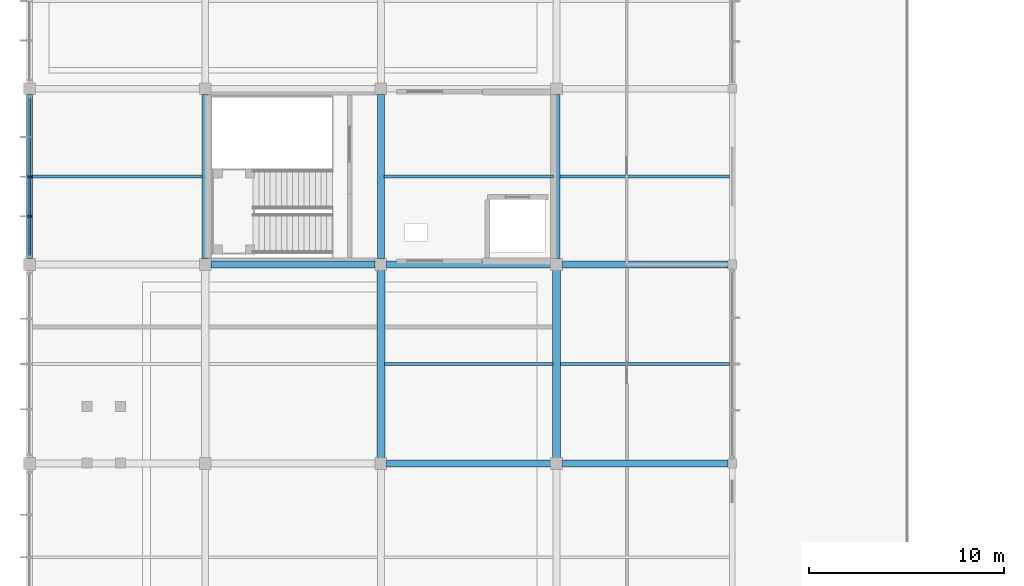
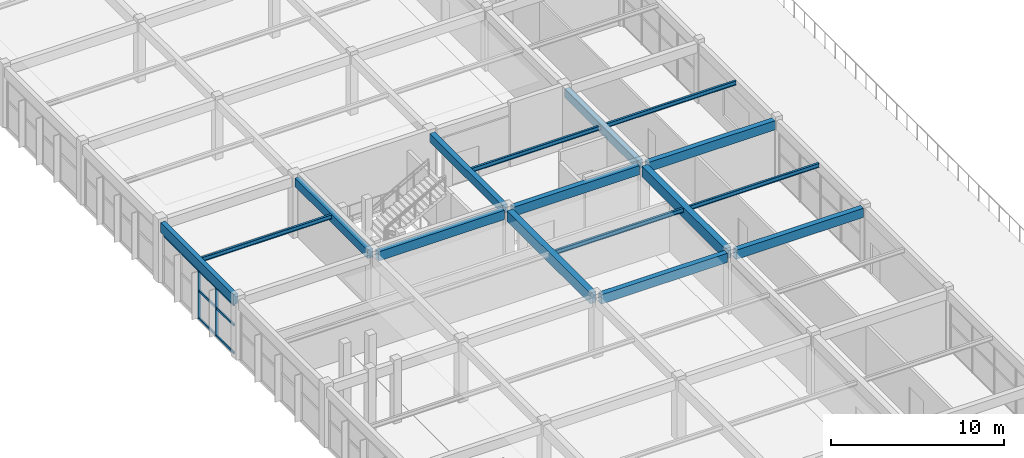
# One storey, part 11 of 89: 16 beams, 7 members, 1 element without a shape of its own.
"""IFC4 building model written with IfcOpenShell, lengths in metres."""

from ifc_helpers import new_model, si_unit, direction, frame, origin, origin_2d, place, context, subcontext, project, spatial, rectangle, i_section, extrude, material, material_profile, profile_set, type_object, element, aggregate, save


model = new_model("IFC4")

# Units and contexts
model_context = context("Model", 3, precision=1e-05, world=origin(), true_north=direction((0.0, 1.0)))
body_context = subcontext(model_context, "Body", "Model", "MODEL_VIEW")
ifc_project = project(units=[si_unit("LENGTHUNIT", "METRE"), si_unit("AREAUNIT", "SQUARE_METRE"), si_unit("VOLUMEUNIT", "CUBIC_METRE"), si_unit("PLANEANGLEUNIT", "RADIAN"), si_unit("MASSUNIT", "GRAM", prefix="KILO")], contexts=[model_context])

# Site, building, storey
site_placement = place(None, origin())
site = spatial("IfcSite", under=ifc_project, at=site_placement, CompositionType="ELEMENT")
building_placement = place(site_placement, origin())
building = spatial("IfcBuilding", under=site, at=building_placement, Name="Suirenkawa Promenade Aquatics Centre", CompositionType="ELEMENT")
storey_placement = place(building_placement, frame((0.0, 0.0, 9.60009765625)))
storey = spatial("IfcBuildingStorey", under=building, at=storey_placement, Name="L02", CompositionType="ELEMENT", Elevation=9.60009765625)

# Beams
ifc_material_1 = material(Name="Steel IS 2062 E350 (Grade 350)", Category="steel")
ifc_material_profile_1 = material_profile(ifc_material_1, i_section(OverallWidth=0.139892578125, OverallDepth=0.300048828125, WebThickness=0.008056640625, FlangeThickness=0.012939453125, at=origin_2d()), Name="ISMB 300", Category="steel")
ifc_profile_set_1 = profile_set([ifc_material_profile_1], Name="Steel IS 2062 E350 (Grade 350)")
beam_type_1 = type_object("IfcBeamType", Name="BT-JOIST-ISMB300", PredefinedType="JOIST", material=ifc_profile_set_1)
beam_1_placement = place(storey_placement, frame((0.14404296875, 63.89990234375, 4.087890625), z_axis=(1.0, 0.0, 0.0), x_axis=(0.0, 1.0, 0.0)))
element("IfcBeam", 1, at=beam_1_placement, inside=storey, type_object=beam_type_1, Name="Secondary floor joist JS-02 BM-0696", PredefinedType="JOIST", context=body_context, shape_type="SweptSolid", body=[
    extrude(i_section(OverallWidth=0.139892578125, OverallDepth=0.300048828125, WebThickness=0.008056640625, FlangeThickness=0.012939453125, at=origin_2d()), origin(), (0.0, 0.0, 1.0), 8.68701171875),
])
beam_2_placement = place(storey_placement, frame((18.194091796875, 54.300048828125, 4.087890625), z_axis=(1.0, 0.0, 0.0), x_axis=(0.0, 1.0, 0.0)))
element("IfcBeam", 2, at=beam_2_placement, inside=storey, type_object=beam_type_1, Name="Secondary floor joist JS-02 BM-0717", PredefinedType="JOIST", context=body_context, shape_type="SweptSolid", body=[
    extrude(i_section(OverallWidth=0.139892578125, OverallDepth=0.300048828125, WebThickness=0.008056640625, FlangeThickness=0.012939453125, at=origin_2d()), origin(), (0.0, 0.0, 1.0), 8.61181640625),
])
beam_3_placement = place(storey_placement, frame((18.1689453125, 63.89990234375, 4.087890625), z_axis=(1.0, 0.0, 0.0), x_axis=(0.0, 1.0, 0.0)))
element("IfcBeam", 3, at=beam_3_placement, inside=storey, type_object=beam_type_1, Name="Secondary floor joist JS-02 BM-0718", PredefinedType="JOIST", context=body_context, shape_type="SweptSolid", body=[
    extrude(i_section(OverallWidth=0.139892578125, OverallDepth=0.300048828125, WebThickness=0.008056640625, FlangeThickness=0.012939453125, at=origin_2d()), origin(), (0.0, 0.0, 1.0), 8.662109375),
])
beam_4_placement = place(storey_placement, frame((27.194091796875, 54.300048828125, 4.087890625), z_axis=(1.0, 0.0, 0.0), x_axis=(0.0, 1.0, 0.0)))
element("IfcBeam", 4, at=beam_4_placement, inside=storey, type_object=beam_type_1, Name="Secondary floor joist JS-02 BM-0729", PredefinedType="JOIST", context=body_context, shape_type="SweptSolid", body=[
    extrude(i_section(OverallWidth=0.139892578125, OverallDepth=0.300048828125, WebThickness=0.008056640625, FlangeThickness=0.012939453125, at=origin_2d()), origin(), (0.0, 0.0, 1.0), 8.661865234375),
])
beam_5_placement = place(storey_placement, frame((27.1689453125, 63.89990234375, 4.087890625), z_axis=(1.0, 0.0, 0.0), x_axis=(0.0, 1.0, 0.0)))
element("IfcBeam", 5, at=beam_5_placement, inside=storey, type_object=beam_type_1, Name="Secondary floor joist JS-02 BM-0730", PredefinedType="JOIST", context=body_context, shape_type="SweptSolid", body=[
    extrude(i_section(OverallWidth=0.139892578125, OverallDepth=0.300048828125, WebThickness=0.008056640625, FlangeThickness=0.012939453125, at=origin_2d()), origin(), (0.0, 0.0, 1.0), 8.68701171875),
])
ifc_material_2 = material(Name="Concrete M35", Category="concrete")
ifc_material_profile_2 = material_profile(ifc_material_2, rectangle(XDim=0.35009765625, YDim=0.60009765625, at=origin_2d()), Name="RC BM 350x600", Category="concrete")
ifc_profile_set_2 = profile_set([ifc_material_profile_2], Name="Concrete M35")
beam_type_2 = type_object("IfcBeamType", Name="BT-RC-350x600", PredefinedType="BEAM", material=ifc_profile_set_2)
for number, where, z_axis, x_axis, name in (
    (6, (9.0, 59.694091796875, 3.93994140625), (0.0, 1.0, 0.0), (-1.0, 0.0, 0.0), "Floor beam BM-02 BM-0648"),
    (7, (18.0, 59.694091796875, 3.93994140625), (0.0, 1.0, 0.0), (-1.0, 0.0, 0.0), "Floor beam BM-02 BM-0660"),
    (8, (27.0, 59.694091796875, 3.93994140625), (0.0, 1.0, 0.0), (-1.0, 0.0, 0.0), "Floor beam BM-02 BM-0672"),
):
    element("IfcBeam", number, at=place(storey_placement, frame(where, z_axis=z_axis, x_axis=x_axis)), inside=storey, type_object=beam_type_2, Name=name, PredefinedType="BEAM", context=body_context, shape_type="SweptSolid", body=[
        extrude(rectangle(XDim=0.35009765625, YDim=0.60009765625, at=origin_2d()), origin(), (0.0, 0.0, 1.0), 8.411865234375),
    ])
ifc_material_profile_3 = material_profile(ifc_material_2, rectangle(XDim=0.35009765625, YDim=0.64990234375, at=origin_2d()), Name="RC BM 350x650", Category="concrete")
ifc_profile_set_3 = profile_set([ifc_material_profile_3], Name="Concrete M35")
beam_type_3 = type_object("IfcBeamType", Name="BT-RC-350x650", PredefinedType="BEAM", material=ifc_profile_set_3)
beam_6_placement = place(storey_placement, frame((18.2939453125, 49.199951171875, 3.914794921875), z_axis=(1.0, 0.0, 0.0), x_axis=(0.0, 1.0, 0.0)))
element("IfcBeam", 9, at=beam_6_placement, inside=storey, type_object=beam_type_3, Name="Floor beam BM-03 BM-0600", PredefinedType="BEAM", context=body_context, shape_type="SweptSolid", body=[
    extrude(rectangle(XDim=0.35009765625, YDim=0.64990234375, at=origin_2d()), origin(), (0.0, 0.0, 1.0), 8.412109375),
])
beam_7_placement = place(storey_placement, frame((27.2939453125, 49.199951171875, 3.914794921875), z_axis=(1.0, 0.0, 0.0), x_axis=(0.0, 1.0, 0.0)))
element("IfcBeam", 10, at=beam_7_placement, inside=storey, type_object=beam_type_3, Name="Floor beam BM-03 BM-0601", PredefinedType="BEAM", context=body_context, shape_type="SweptSolid", body=[
    extrude(rectangle(XDim=0.35009765625, YDim=0.64990234375, at=origin_2d()), origin(), (0.0, 0.0, 1.0), 8.487060546875),
])
for number, where, z_axis, x_axis, name in (
    (11, (9.2939453125, 59.39990234375, 3.914794921875), (1.0, 0.0, 0.0), (0.0, 1.0, 0.0), "Floor beam BM-03 BM-0603"),
    (12, (18.2939453125, 59.39990234375, 3.914794921875), (1.0, 0.0, 0.0), (0.0, 1.0, 0.0), "Floor beam BM-03 BM-0604"),
):
    element("IfcBeam", number, at=place(storey_placement, frame(where, z_axis=z_axis, x_axis=x_axis)), inside=storey, type_object=beam_type_3, Name=name, PredefinedType="BEAM", context=body_context, shape_type="SweptSolid", body=[
        extrude(rectangle(XDim=0.35009765625, YDim=0.64990234375, at=origin_2d()), origin(), (0.0, 0.0, 1.0), 8.412109375),
    ])
beam_8_placement = place(storey_placement, frame((27.2939453125, 59.39990234375, 3.914794921875), z_axis=(1.0, 0.0, 0.0), x_axis=(0.0, 1.0, 0.0)))
element("IfcBeam", 13, at=beam_8_placement, inside=storey, type_object=beam_type_3, Name="Floor beam BM-03 BM-0605", PredefinedType="BEAM", context=body_context, shape_type="SweptSolid", body=[
    extrude(rectangle(XDim=0.35009765625, YDim=0.64990234375, at=origin_2d()), origin(), (0.0, 0.0, 1.0), 8.487060546875),
])
ifc_material_3 = material(Name="Concrete M40", Category="concrete")
ifc_material_profile_4 = material_profile(ifc_material_3, rectangle(XDim=0.39990234375, YDim=0.75, at=origin_2d()), Name="RC BM 400x750", Category="concrete")
ifc_profile_set_4 = profile_set([ifc_material_profile_4], Name="Concrete M40")
beam_type_4 = type_object("IfcBeamType", Name="BT-RC-400x750", PredefinedType="BEAM", material=ifc_profile_set_4)
for number, where, z_axis, x_axis, name in (
    (14, (18.0, 49.493896484375, 3.864990234375), (0.0, 1.0, 0.0), (-1.0, 0.0, 0.0), "Floor beam BM-05 BM-0659"),
    (15, (27.0, 49.493896484375, 3.864990234375), (0.0, 1.0, 0.0), (-1.0, 0.0, 0.0), "Floor beam BM-05 BM-0671"),
):
    element("IfcBeam", number, at=place(storey_placement, frame(where, z_axis=z_axis, x_axis=x_axis)), inside=storey, type_object=beam_type_4, Name=name, PredefinedType="BEAM", context=body_context, shape_type="SweptSolid", body=[
        extrude(rectangle(XDim=0.39990234375, YDim=0.75, at=origin_2d()), origin(), (0.0, 0.0, 1.0), 9.612060546875),
    ])
ifc_material_profile_5 = material_profile(ifc_material_3, rectangle(XDim=0.300048828125, YDim=0.699951171875, at=origin_2d()), Name="RC SPANDREL 300x700", Category="concrete")
ifc_profile_set_5 = profile_set([ifc_material_profile_5], Name="Concrete M40")
beam_type_5 = type_object("IfcBeamType", Name="BT-SPANDREL-300x700", PredefinedType="SPANDREL", material=ifc_profile_set_5)
beam_9_placement = place(storey_placement, frame((0.0, 59.694091796875, 3.889892578125), z_axis=(0.0, 1.0, 0.0), x_axis=(-1.0, 0.0, 0.0)))
element("IfcBeam", 16, at=beam_9_placement, inside=storey, type_object=beam_type_5, Name="Floor beam SP-01 BM-0636", PredefinedType="SPANDREL", context=body_context, shape_type="SweptSolid", body=[
    extrude(rectangle(XDim=0.300048828125, YDim=0.699951171875, at=origin_2d()), origin(), (0.0, 0.0, 1.0), 8.411865234375),
])

# Curtain wall, members
ifc_material_4 = material(Name="Anodised aluminium 6063-T6", Category="aluminium")
curtain_wall_type = type_object("IfcCurtainWallType", Name="CWAT-V5WL02-60", PredefinedType="NOTDEFINED", material=ifc_material_4)
curtain_wall_placement = place(storey_placement, origin())
curtain_wall = element("IfcCurtainWall", 17, at=curtain_wall_placement, inside=storey, type_object=curtain_wall_type, Name="Curtain wall CWA-60 CW-122", PredefinedType="NOTDEFINED")
ifc_material_profile_6 = material_profile(ifc_material_4, rectangle(XDim=0.094970703125, YDim=0.18994140625, at=origin_2d()), Name="ALU MULL 95x190", Category="aluminium")
ifc_profile_set_6 = profile_set([ifc_material_profile_6], Name="Anodised aluminium 6063-T6")
member_type_1 = type_object("IfcMemberType", Name="CWM-190x95", PredefinedType="MULLION", material=ifc_profile_set_6)
member_1_placement = place(storey_placement, frame((0.0, 61.87451171875, 0.0), z_axis=(0.0, 0.0, 1.0), x_axis=(0.0, 1.0, 0.0)))
member_1 = element("IfcMember", 18, at=member_1_placement, type_object=member_type_1, Name="Mullion ML-02 CWM-02459", PredefinedType="MULLION", context=body_context, shape_type="SweptSolid", body=[
    extrude(rectangle(XDim=0.094970703125, YDim=0.18994140625, at=origin_2d()), origin(), (0.0, 0.0, 1.0), 3.369873046875),
])
member_2_placement = place(storey_placement, frame((0.0, 63.89990234375, 0.0), z_axis=(0.0, 0.0, 1.0), x_axis=(0.0, 1.0, 0.0)))
member_2 = element("IfcMember", 19, at=member_2_placement, type_object=member_type_1, Name="Mullion ML-02 CWM-02460", PredefinedType="MULLION", context=body_context, shape_type="SweptSolid", body=[
    extrude(rectangle(XDim=0.094970703125, YDim=0.18994140625, at=origin_2d()), origin(), (0.0, 0.0, 1.0), 3.369873046875),
])
ifc_material_profile_7 = material_profile(ifc_material_4, rectangle(XDim=0.094970703125, YDim=0.14990234375, at=origin_2d()), Name="ALU TRAN 95x150", Category="aluminium")
ifc_profile_set_7 = profile_set([ifc_material_profile_7], Name="Anodised aluminium 6063-T6")
member_type_2 = type_object("IfcMemberType", Name="CWT-150x95", PredefinedType="USERDEFINED", material=ifc_profile_set_7)
member_3_placement = place(storey_placement, frame((0.0, 59.84912109375, 0.0), z_axis=(0.0, 1.0, 0.0), x_axis=(-1.0, 0.0, 0.0)))
member_3 = element("IfcMember", 20, at=member_3_placement, type_object=member_type_2, Name="Transom TR-02 CWT-02463", ObjectType="TRANSOM", PredefinedType="USERDEFINED", context=body_context, shape_type="SweptSolid", body=[
    extrude(rectangle(XDim=0.094970703125, YDim=0.14990234375, at=origin_2d()), origin(), (0.0, 0.0, 1.0), 2.025390625),
])
member_4_placement = place(storey_placement, frame((0.0, 61.87451171875, 0.0), z_axis=(0.0, 1.0, 0.0), x_axis=(-1.0, 0.0, 0.0)))
member_4 = element("IfcMember", 21, at=member_4_placement, type_object=member_type_2, Name="Transom TR-02 CWT-02464", ObjectType="TRANSOM", PredefinedType="USERDEFINED", context=body_context, shape_type="SweptSolid", body=[
    extrude(rectangle(XDim=0.094970703125, YDim=0.14990234375, at=origin_2d()), origin(), (0.0, 0.0, 1.0), 2.025390625),
])
member_5_placement = place(storey_placement, frame((0.0, 59.84912109375, 1.949951171875), z_axis=(0.0, 1.0, 0.0), x_axis=(-1.0, 0.0, 0.0)))
member_5 = element("IfcMember", 22, at=member_5_placement, type_object=member_type_2, Name="Transom TR-02 CWT-02467", ObjectType="TRANSOM", PredefinedType="USERDEFINED", context=body_context, shape_type="SweptSolid", body=[
    extrude(rectangle(XDim=0.094970703125, YDim=0.14990234375, at=origin_2d()), origin(), (0.0, 0.0, 1.0), 2.025390625),
])
member_6_placement = place(storey_placement, frame((0.0, 61.87451171875, 1.949951171875), z_axis=(0.0, 1.0, 0.0), x_axis=(-1.0, 0.0, 0.0)))
member_6 = element("IfcMember", 23, at=member_6_placement, type_object=member_type_2, Name="Transom TR-02 CWT-02468", ObjectType="TRANSOM", PredefinedType="USERDEFINED", context=body_context, shape_type="SweptSolid", body=[
    extrude(rectangle(XDim=0.094970703125, YDim=0.14990234375, at=origin_2d()), origin(), (0.0, 0.0, 1.0), 2.025390625),
])
member_7_placement = place(storey_placement, frame((0.0, 59.84912109375, 3.369873046875), z_axis=(0.0, 1.0, 0.0), x_axis=(-1.0, 0.0, 0.0)))
member_7 = element("IfcMember", 24, at=member_7_placement, type_object=member_type_2, Name="Roofline transom TR-02 CWT-02471", ObjectType="TRANSOM", PredefinedType="USERDEFINED", context=body_context, shape_type="SweptSolid", body=[
    extrude(rectangle(XDim=0.094970703125, YDim=0.14990234375, at=origin_2d()), origin(), (0.0, 0.0, 1.0), 8.101806640625),
])
aggregate(curtain_wall, [member_1, member_2, member_3, member_4, member_5, member_6, member_7])

save(model, "model.ifc")
